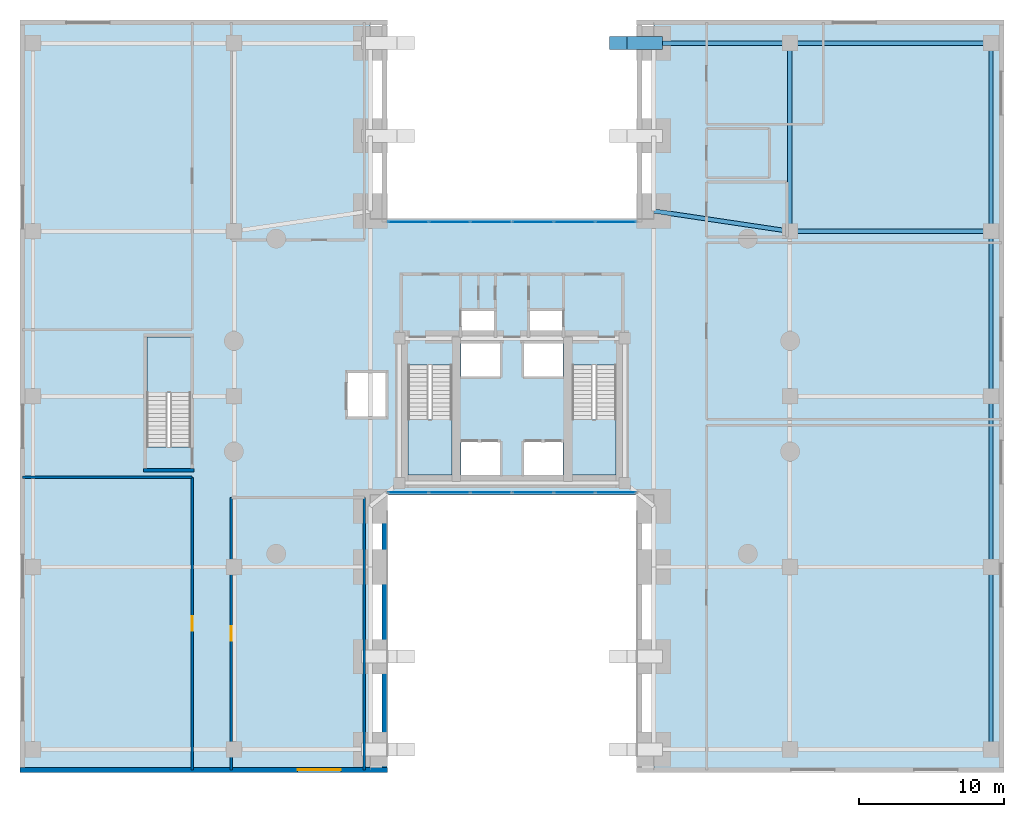
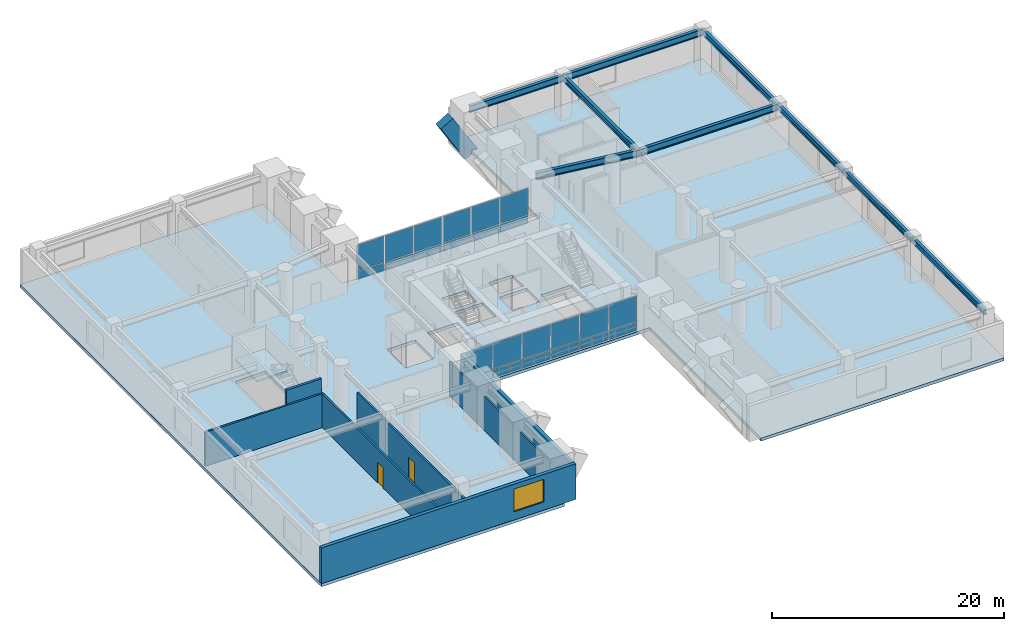
# One storey, part 9 of 14: 24 plates, 10 beams, 7 walls, 4 slabs, 2 doors, 1 window, 3 openings, 7 elements without a shape of their own.
"""IFC4 building model written with IfcOpenShell, lengths in metres."""

import ifcopenshell
import ifcopenshell.guid

model = None  # the IFC model being written
_history = None  # IfcOwnerHistory: only IFC2X3 demands one
_inside = {}  # id of a spatial element -> (the spatial element, [elements in it])
_under = {}  # id of a project, library or spatial element -> (it, [spatial elements below it])
_declared = {}  # id of a project -> (the project, [libraries it declares])
_typed = {}  # id of a type object -> (the type object, [elements of that type])
_made_of = {}  # id of a material, layer set ... -> (it, [elements and type objects made of it])


def new_model(schema):
    """Start an empty IFC model of exactly this schema.

    Asked for "IFC4X3", IfcOpenShell would pick the latest addendum, in which some entities
    have other attributes; the version numbers below select the first issue.
    IFC2X3 requires an IfcOwnerHistory on every rooted entity: one is made here for all.
    """
    global model, _history
    if schema == "IFC4X3":
        model = ifcopenshell.file(schema_version=(4, 3, 0, 0))
    else:
        model = ifcopenshell.file(schema=schema)
    _inside.clear()
    _under.clear()
    _declared.clear()
    _typed.clear()
    _made_of.clear()
    _history = None
    if model.schema == "IFC2X3":
        org = make("IfcOrganization", Name="unknown")
        user = make(
            "IfcPersonAndOrganization",
            ThePerson=make("IfcPerson", FamilyName="unknown"),
            TheOrganization=org,
        )
        app = make(
            "IfcApplication",
            ApplicationDeveloper=org,
            Version="unknown",
            ApplicationFullName="unknown",
            ApplicationIdentifier="unknown",
        )
        _history = make(
            "IfcOwnerHistory",
            OwningUser=user,
            OwningApplication=app,
            ChangeAction="ADDED",
            CreationDate=0,
        )
    return model


def make(cls, **values):
    """One entity of the class cls with the attributes given. An attribute that is None is left unset."""
    return model.create_entity(
        cls, **{name: value for name, value in values.items() if value is not None}
    )


def rooted(cls, **values):
    """An entity with a GlobalId (a new one), such as an element, a storey or a relation."""
    return make(cls, GlobalId=ifcopenshell.guid.new(), OwnerHistory=_history, **values)


def si_unit(unit_type, name, prefix=None):
    """IfcSIUnit, for example si_unit("LENGTHUNIT", "METRE", prefix="MILLI")."""
    return make("IfcSIUnit", UnitType=unit_type, Prefix=prefix, Name=name)


def assignment(units):
    """IfcUnitAssignment: the units of a project."""
    return None if units is None else make("IfcUnitAssignment", Units=units)


def point(xyz):
    """IfcCartesianPoint."""
    return None if xyz is None else make("IfcCartesianPoint", Coordinates=xyz)


def direction(xyz):
    """IfcDirection."""
    return None if xyz is None else make("IfcDirection", DirectionRatios=xyz)


def frame(location, z_axis=None, x_axis=None):
    """IfcAxis2Placement3D, a coordinate frame: its origin and axes. An axis left out is left unset."""
    return make(
        "IfcAxis2Placement3D",
        Location=point(location),
        Axis=direction(z_axis),
        RefDirection=direction(x_axis),
    )


def frame_2d(location, x_axis=None):
    """IfcAxis2Placement2D, a coordinate frame in the plane: its origin and x axis."""
    return make(
        "IfcAxis2Placement2D", Location=point(location), RefDirection=direction(x_axis)
    )


def origin():
    """The frame at (0, 0, 0) with its axes left unset."""
    return frame((0.0, 0.0, 0.0))


def origin_2d():
    """The frame at (0, 0) in the plane with its x axis left unset."""
    return frame_2d((0.0, 0.0))


def place(relative_to, where):
    """IfcLocalPlacement: puts the frame where relative to a parent placement (None: the world)."""
    return make(
        "IfcLocalPlacement", PlacementRelTo=relative_to, RelativePlacement=where
    )


def context(
    kind, dimensions, precision=None, world=None, true_north=None, identifier=None
):
    """IfcGeometricRepresentationContext, for example the 3D "Model" context."""
    return make(
        "IfcGeometricRepresentationContext",
        ContextIdentifier=identifier,
        ContextType=kind,
        CoordinateSpaceDimension=dimensions,
        Precision=precision,
        WorldCoordinateSystem=world,
        TrueNorth=true_north,
    )


def subcontext(parent, identifier, kind, view, scale=None):
    """IfcGeometricRepresentationSubContext, for example "Body" below "Model"."""
    return make(
        "IfcGeometricRepresentationSubContext",
        ContextIdentifier=identifier,
        ContextType=kind,
        ParentContext=parent,
        TargetScale=scale,
        TargetView=view,
    )


def project(units=None, contexts=None):
    """IfcProject with its units and contexts."""
    return rooted(
        "IfcProject",
        Name="project",
        RepresentationContexts=contexts,
        UnitsInContext=assignment(units),
    )


def spatial(cls, under=None, at=None, **own):
    """A site, building, storey or space (cls), placed at a placement, below another one or the project."""
    s = rooted(cls, ObjectPlacement=at, **own)
    if under is not None:
        _under.setdefault(under.id(), (under, []))[1].append(s)
    return s


def polyline(points):
    """IfcPolyline through the points."""
    return make("IfcPolyline", Points=[point(p) for p in points])


def profile(cls, at=None, kind="AREA", **sizes):
    """A parametric profile (cls). Its sizes go by their IFC names, for example OverallWidth=200.0."""
    return make(cls, ProfileType=kind, Position=at, **sizes)


def rectangle(**sizes):
    """IfcRectangleProfileDef."""
    return profile("IfcRectangleProfileDef", **sizes)


def i_section(**sizes):
    """IfcIShapeProfileDef."""
    return profile("IfcIShapeProfileDef", **sizes)


def outline(outer, holes=None, kind="AREA"):
    """IfcArbitraryClosedProfileDef: a profile drawn as a closed curve; with holes, ...WithVoids."""
    if holes is None:
        return make("IfcArbitraryClosedProfileDef", ProfileType=kind, OuterCurve=outer)
    return make(
        "IfcArbitraryProfileDefWithVoids",
        ProfileType=kind,
        OuterCurve=outer,
        InnerCurves=holes,
    )


def extrude(swept, where, along, depth):
    """IfcExtrudedAreaSolid: the profile swept, set in the frame where, extruded along a direction by depth."""
    return make(
        "IfcExtrudedAreaSolid",
        SweptArea=swept,
        Position=where,
        ExtrudedDirection=direction(along),
        Depth=depth,
    )


def shape(context_of_items, identifier, shape_type, items):
    """IfcShapeRepresentation: the items that make up one representation, for example the "Body"."""
    return make(
        "IfcShapeRepresentation",
        ContextOfItems=context_of_items,
        RepresentationIdentifier=identifier,
        RepresentationType=shape_type,
        Items=items,
    )


def material(Name=None, Category=None):
    """IfcMaterial."""
    return make("IfcMaterial", Name=Name, Category=Category)


def layer(
    of_material, thickness, ventilated=None, Name=None, Category=None, Priority=None
):
    """IfcMaterialLayer: one layer of a wall or slab, of a material (None: an air gap)."""
    return make(
        "IfcMaterialLayer",
        Material=of_material,
        LayerThickness=thickness,
        IsVentilated=ventilated,
        Name=Name,
        Category=Category,
        Priority=Priority,
    )


def layer_set(layers, Name=None):
    """IfcMaterialLayerSet."""
    return make("IfcMaterialLayerSet", MaterialLayers=layers, LayerSetName=Name)


def material_profile(
    of_material, cross_section, Name=None, Category=None, Priority=None
):
    """IfcMaterialProfile: a cross section and its material."""
    return make(
        "IfcMaterialProfile",
        Name=Name,
        Material=of_material,
        Profile=cross_section,
        Priority=Priority,
        Category=Category,
    )


def profile_set(profiles, Name=None, composite=None):
    """IfcMaterialProfileSet."""
    return make(
        "IfcMaterialProfileSet",
        Name=Name,
        MaterialProfiles=profiles,
        CompositeProfile=composite,
    )


def made_of(thing, what):
    """Note that an element or type object is made of a material, layer set ...; save() writes the relation."""
    if what is not None:
        _made_of.setdefault(what.id(), (what, []))[1].append(thing)
    return thing


def type_object(cls, material=None, **own):
    """A type object (cls), such as IfcWallType, which elements share."""
    return made_of(rooted(cls, **own), material)


def element(
    cls,
    number,
    at=None,
    inside=None,
    cuts=None,
    type_object=None,
    material=None,
    context=None,
    identifier="Body",
    shape_type=None,
    held_by="IfcProductDefinitionShape",
    body=None,
    shapes=None,
    **own,
):
    """One element of the class cls, such as IfcWall. Its Tag is "e" and its number.

    at: its placement. inside: the storey or other place that contains it. cuts: it is an
    opening in that element (IfcRelVoidsElement). A single representation is given by context,
    identifier, shape_type and body (its items); several are given by shapes. held_by: the class
    of the entity that holds the representations. save() writes the other relations.
    """
    e = rooted(cls, Tag="e%d" % number, ObjectPlacement=at, **own)
    if body is not None:
        shapes = [shape(context, identifier, shape_type, body)]
    if shapes is not None:
        e.Representation = make(held_by, Representations=shapes)
    if inside is not None:
        _inside.setdefault(inside.id(), (inside, []))[1].append(e)
    if cuts is not None:
        rooted(
            "IfcRelVoidsElement", RelatingBuildingElement=cuts, RelatedOpeningElement=e
        )
    if type_object is not None:
        _typed.setdefault(type_object.id(), (type_object, []))[1].append(e)
    return made_of(e, material)


def fill(opening, filler):
    """IfcRelFillsElement: the door or window that sits in an opening."""
    return rooted(
        "IfcRelFillsElement",
        RelatingOpeningElement=opening,
        RelatedBuildingElement=filler,
    )


def aggregate(whole, parts):
    """IfcRelAggregates: a whole, such as a stair, and the parts it consists of."""
    return rooted("IfcRelAggregates", RelatingObject=whole, RelatedObjects=parts)


def save(model, path):
    """Write the relations noted so far, then the file.

    IfcRelAggregates (storeys below a building ...), IfcRelContainedInSpatialStructure (elements
    in a storey), IfcRelDefinesByType, IfcRelAssociatesMaterial and IfcRelDeclares: one each for
    every whole, place, type object, material and project.
    """
    for whole, parts in _under.values():
        aggregate(whole, parts)
    for where, things in _inside.values():
        rooted(
            "IfcRelContainedInSpatialStructure",
            RelatedElements=things,
            RelatingStructure=where,
        )
    for kind, things in _typed.values():
        rooted("IfcRelDefinesByType", RelatedObjects=things, RelatingType=kind)
    for what, things in _made_of.values():
        rooted("IfcRelAssociatesMaterial", RelatedObjects=things, RelatingMaterial=what)
    for by, libraries in _declared.values():
        rooted("IfcRelDeclares", RelatingContext=by, RelatedDefinitions=libraries)
    model.write(path)


model = new_model("IFC4")

# Units and contexts
model_context = context("Model", 3, precision=1e-05, world=origin(), true_north=direction((0.0, 1.0)))
body_context = subcontext(model_context, "Body", "Model", "MODEL_VIEW")
ifc_project = project(units=[si_unit("LENGTHUNIT", "METRE"), si_unit("AREAUNIT", "SQUARE_METRE"), si_unit("VOLUMEUNIT", "CUBIC_METRE"), si_unit("PLANEANGLEUNIT", "RADIAN"), si_unit("MASSUNIT", "GRAM", prefix="KILO"), si_unit("THERMODYNAMICTEMPERATUREUNIT", "KELVIN"), si_unit("POWERUNIT", "WATT")], contexts=[model_context])

# Site, building, storey
site_placement = place(None, origin())
site = spatial("IfcSite", under=ifc_project, at=site_placement, CompositionType="ELEMENT")
building_placement = place(site_placement, origin())
building = spatial("IfcBuilding", under=site, at=building_placement, Name="Ocrelia Relay Tower", CompositionType="ELEMENT")
storey_placement = place(building_placement, frame((0.0, 0.0, 5.39990234375)))
storey = spatial("IfcBuildingStorey", under=building, at=storey_placement, Name="L01", CompositionType="ELEMENT", Elevation=5.39990234375)

# Beams
ifc_material_1 = material(Name="Concrete C70/85", Category="concrete")
ifc_material_profile_1 = material_profile(ifc_material_1, rectangle(XDim=0.89990234375, YDim=1.39990234375, at=origin_2d()), Name="RC-BM-900x1400")
ifc_profile_set_1 = profile_set([ifc_material_profile_1], Name="Concrete C70/85")
beam_type_1 = type_object("IfcBeamType", Name="BM-ARCH-RIB", PredefinedType="USERDEFINED", material=ifc_profile_set_1)
beam_1_placement = place(storey_placement, frame((41.35009765625, 50.39990234375, 3.69287109375), z_axis=(0.513614846674, 0.0, -0.858020855968), x_axis=(0.0, 1.0, 0.0)))
element("IfcBeam", 1, at=beam_1_placement, inside=storey, type_object=beam_type_1, Name="Monumental Portal Arch Rib N1 Seg 8", ObjectType="PORTAL ARCH", PredefinedType="USERDEFINED", context=body_context, shape_type="SweptSolid", body=[
    extrude(rectangle(XDim=0.89990234375, YDim=1.39990234375, at=origin_2d()), origin(), (0.0, 0.0, 1.0), 4.77001953125),
])
ifc_material_2 = material(Name="Steel S355", Category="steel")
ifc_material_profile_2 = material_profile(ifc_material_2, i_section(OverallWidth=0.300048828125, OverallDepth=0.60009765625, WebThickness=0.015380859375, FlangeThickness=0.030029296875, FilletRadius=0.027099609375, at=origin_2d()), Name="HEB 600")
ifc_profile_set_2 = profile_set([ifc_material_profile_2], Name="Steel S355")
beam_type_2 = type_object("IfcBeamType", Name="BM-HEB600", PredefinedType="BEAM", material=ifc_profile_set_2)
beam_2_placement = place(storey_placement, frame((53.199951171875, 37.39990234375, 4.18017578125), z_axis=(0.0, 1.0, 0.0), x_axis=(-1.0, 0.0, 0.0)))
element("IfcBeam", 2, at=beam_2_placement, inside=storey, type_object=beam_type_2, Name="L01 Podium Span Girder IE-4", PredefinedType="BEAM", context=body_context, shape_type="SweptSolid", body=[
    extrude(i_section(OverallWidth=0.300048828125, OverallDepth=0.60009765625, WebThickness=0.015380859375, FlangeThickness=0.030029296875, FilletRadius=0.027099609375, at=origin_2d()), origin(), (0.0, 0.0, 1.0), 13.0),
])
beam_3_placement = place(storey_placement, frame((67.10009765625, 1.60009765625, 4.18017578125), z_axis=(0.0, 1.0, 0.0), x_axis=(-1.0, 0.0, 0.0)))
element("IfcBeam", 3, at=beam_3_placement, inside=storey, type_object=beam_type_2, Name="L01 Podium Span Girder E-1", PredefinedType="BEAM", context=body_context, shape_type="SweptSolid", body=[
    extrude(i_section(OverallWidth=0.300048828125, OverallDepth=0.60009765625, WebThickness=0.015380859375, FlangeThickness=0.030029296875, FilletRadius=0.027099609375, at=origin_2d()), origin(), (0.0, 0.0, 1.0), 12.599853515625),
])
beam_4_placement = place(storey_placement, frame((67.10009765625, 14.199951171875, 4.18017578125), z_axis=(0.0, 1.0, 0.0), x_axis=(-1.0, 0.0, 0.0)))
element("IfcBeam", 4, at=beam_4_placement, inside=storey, type_object=beam_type_2, Name="L01 Podium Span Girder E-2", PredefinedType="BEAM", context=body_context, shape_type="SweptSolid", body=[
    extrude(i_section(OverallWidth=0.300048828125, OverallDepth=0.60009765625, WebThickness=0.015380859375, FlangeThickness=0.030029296875, FilletRadius=0.027099609375, at=origin_2d()), origin(), (0.0, 0.0, 1.0), 11.800048828125),
])
beam_5_placement = place(storey_placement, frame((67.10009765625, 26.0, 4.18017578125), z_axis=(0.0, 1.0, 0.0), x_axis=(-1.0, 0.0, 0.0)))
element("IfcBeam", 5, at=beam_5_placement, inside=storey, type_object=beam_type_2, Name="L01 Podium Span Girder E-3", PredefinedType="BEAM", context=body_context, shape_type="SweptSolid", body=[
    extrude(i_section(OverallWidth=0.300048828125, OverallDepth=0.60009765625, WebThickness=0.015380859375, FlangeThickness=0.030029296875, FilletRadius=0.027099609375, at=origin_2d()), origin(), (0.0, 0.0, 1.0), 11.39990234375),
])
beam_6_placement = place(storey_placement, frame((67.10009765625, 37.39990234375, 4.18017578125), z_axis=(0.0, 1.0, 0.0), x_axis=(-1.0, 0.0, 0.0)))
element("IfcBeam", 6, at=beam_6_placement, inside=storey, type_object=beam_type_2, Name="L01 Podium Span Girder E-4", PredefinedType="BEAM", context=body_context, shape_type="SweptSolid", body=[
    extrude(i_section(OverallWidth=0.300048828125, OverallDepth=0.60009765625, WebThickness=0.015380859375, FlangeThickness=0.030029296875, FilletRadius=0.027099609375, at=origin_2d()), origin(), (0.0, 0.0, 1.0), 13.0),
])
ifc_material_profile_3 = material_profile(ifc_material_2, i_section(OverallWidth=0.300048828125, OverallDepth=0.699951171875, WebThickness=0.01708984375, FlangeThickness=0.031982421875, FilletRadius=0.027099609375, at=origin_2d()), Name="HEB 700")
ifc_profile_set_3 = profile_set([ifc_material_profile_3], Name="Steel S355")
beam_type_3 = type_object("IfcBeamType", Name="BM-HEB700", PredefinedType="BEAM", material=ifc_profile_set_3)
beam_7_placement = place(storey_placement, frame((43.800048828125, 38.800048828125, 4.130126953125), z_axis=(0.989087708935, -0.14732787935, 0.0), x_axis=(0.14732787935, 0.989087708935, 0.0)))
element("IfcBeam", 7, at=beam_7_placement, inside=storey, type_object=beam_type_3, Name="L01 East Inner Podium Girder M2", PredefinedType="BEAM", context=body_context, shape_type="SweptSolid", body=[
    extrude(i_section(OverallWidth=0.300048828125, OverallDepth=0.699951171875, WebThickness=0.01708984375, FlangeThickness=0.031982421875, FilletRadius=0.027099609375, at=origin_2d()), origin(), (0.0, 0.0, 1.0), 9.503662109375),
])
beam_8_placement = place(storey_placement, frame((53.199951171875, 37.39990234375, 4.130126953125), z_axis=(1.0, 0.0, 0.0), x_axis=(0.0, 1.0, 0.0)))
element("IfcBeam", 8, at=beam_8_placement, inside=storey, type_object=beam_type_3, Name="L01 East Outer Podium Girder M2", PredefinedType="BEAM", context=body_context, shape_type="SweptSolid", body=[
    extrude(i_section(OverallWidth=0.300048828125, OverallDepth=0.699951171875, WebThickness=0.01708984375, FlangeThickness=0.031982421875, FilletRadius=0.027099609375, at=origin_2d()), origin(), (0.0, 0.0, 1.0), 13.900146484375),
])
beam_9_placement = place(storey_placement, frame((43.800048828125, 50.39990234375, 4.130126953125), z_axis=(1.0, 0.0, 0.0), x_axis=(0.0, 1.0, 0.0)))
element("IfcBeam", 9, at=beam_9_placement, inside=storey, type_object=beam_type_3, Name="L01 East Inner Podium Girder N", PredefinedType="BEAM", context=body_context, shape_type="SweptSolid", body=[
    extrude(i_section(OverallWidth=0.300048828125, OverallDepth=0.699951171875, WebThickness=0.01708984375, FlangeThickness=0.031982421875, FilletRadius=0.027099609375, at=origin_2d()), origin(), (0.0, 0.0, 1.0), 9.39990234375),
])
beam_10_placement = place(storey_placement, frame((53.199951171875, 50.39990234375, 4.130126953125), z_axis=(1.0, 0.0, 0.0), x_axis=(0.0, 1.0, 0.0)))
element("IfcBeam", 10, at=beam_10_placement, inside=storey, type_object=beam_type_3, Name="L01 East Outer Podium Girder N", PredefinedType="BEAM", context=body_context, shape_type="SweptSolid", body=[
    extrude(i_section(OverallWidth=0.300048828125, OverallDepth=0.699951171875, WebThickness=0.01708984375, FlangeThickness=0.031982421875, FilletRadius=0.027099609375, at=origin_2d()), origin(), (0.0, 0.0, 1.0), 13.900146484375),
])

# Curtain wall, plates
ifc_material_3 = material(Name="Aluminium and solar-control low-E glass", Category="aluminium")
ifc_layer_1 = layer(ifc_material_3, 0.179931640625, Name="Aluminium and solar-control low-E glass")
ifc_layer_set_1 = layer_set([ifc_layer_1], Name="Aluminium and solar-control low-E glass")
curtain_wall_type = type_object("IfcCurtainWallType", Name="CW-SYS-POD-ARCH", PredefinedType="NOTDEFINED", material=ifc_layer_set_1)
curtain_wall_1_placement = place(storey_placement, origin())
curtain_wall_1 = element("IfcCurtainWall", 11, at=curtain_wall_1_placement, inside=storey, type_object=curtain_wall_type, Name="L01 South Portal Atrium Glazed Screen West", PredefinedType="NOTDEFINED")
ifc_material_4 = material(Name="Clear double-glazed low-E glass", Category="glass")
ifc_layer_2 = layer(ifc_material_4, 0.031982421875, Name="Clear double-glazed low-E glass")
ifc_layer_set_2 = layer_set([ifc_layer_2], Name="Clear double-glazed low-E glass")
plate_type = type_object("IfcPlateType", Name="CW-SYS-POD-ARCH-PNL", PredefinedType="CURTAIN_PANEL", material=ifc_layer_set_2)
plate_1_placement = place(storey_placement, frame((26.83544921875, 19.35009765625, 0.06494140625), z_axis=(0.0, 0.0, 1.0), x_axis=(1.0, 0.0, 0.0)))
plate_1 = element("IfcPlate", 12, at=plate_1_placement, type_object=plate_type, Name="CW-PA panel 1.1", PredefinedType="CURTAIN_PANEL", context=body_context, shape_type="SweptSolid", body=[
    extrude(rectangle(XDim=2.7607421875, YDim=0.031982421875, at=origin_2d()), origin(), (0.0, 0.0, 1.0), 0.802490234375),
])
plate_2_placement = place(storey_placement, frame((26.83544921875, 19.35009765625, 0.9326171875), z_axis=(0.0, 0.0, 1.0), x_axis=(1.0, 0.0, 0.0)))
plate_2 = element("IfcPlate", 13, at=plate_2_placement, type_object=plate_type, Name="CW-PA panel 1.2", PredefinedType="CURTAIN_PANEL", context=body_context, shape_type="SweptSolid", body=[
    extrude(rectangle(XDim=2.7607421875, YDim=0.031982421875, at=origin_2d()), origin(), (0.0, 0.0, 1.0), 2.762451171875),
])
plate_3_placement = place(storey_placement, frame((29.68994140625, 19.35009765625, 0.06494140625), z_axis=(0.0, 0.0, 1.0), x_axis=(1.0, 0.0, 0.0)))
plate_3 = element("IfcPlate", 14, at=plate_3_placement, type_object=plate_type, Name="CW-PA panel 2.1", PredefinedType="CURTAIN_PANEL", context=body_context, shape_type="SweptSolid", body=[
    extrude(rectangle(XDim=2.79833984375, YDim=0.031982421875, at=origin_2d()), origin(), (0.0, 0.0, 1.0), 0.802490234375),
])
plate_4_placement = place(storey_placement, frame((29.68994140625, 19.35009765625, 0.9326171875), z_axis=(0.0, 0.0, 1.0), x_axis=(1.0, 0.0, 0.0)))
plate_4 = element("IfcPlate", 15, at=plate_4_placement, type_object=plate_type, Name="CW-PA panel 2.2", PredefinedType="CURTAIN_PANEL", context=body_context, shape_type="SweptSolid", body=[
    extrude(rectangle(XDim=2.79833984375, YDim=0.031982421875, at=origin_2d()), origin(), (0.0, 0.0, 1.0), 2.762451171875),
])
plate_5_placement = place(storey_placement, frame((32.544677734375, 19.35009765625, 0.06494140625), z_axis=(0.0, 0.0, 1.0), x_axis=(1.0, 0.0, 0.0)))
plate_5 = element("IfcPlate", 16, at=plate_5_placement, type_object=plate_type, Name="CW-PA panel 3.1", PredefinedType="CURTAIN_PANEL", context=body_context, shape_type="SweptSolid", body=[
    extrude(rectangle(XDim=2.7607421875, YDim=0.031982421875, at=origin_2d()), origin(), (0.0, 0.0, 1.0), 0.802490234375),
])
plate_6_placement = place(storey_placement, frame((32.544677734375, 19.35009765625, 0.9326171875), z_axis=(0.0, 0.0, 1.0), x_axis=(1.0, 0.0, 0.0)))
plate_6 = element("IfcPlate", 17, at=plate_6_placement, type_object=plate_type, Name="CW-PA panel 3.2", PredefinedType="CURTAIN_PANEL", context=body_context, shape_type="SweptSolid", body=[
    extrude(rectangle(XDim=2.7607421875, YDim=0.031982421875, at=origin_2d()), origin(), (0.0, 0.0, 1.0), 2.762451171875),
])
aggregate(curtain_wall_1, [plate_1, plate_2, plate_3, plate_4, plate_5, plate_6])

curtain_wall_2_placement = place(storey_placement, origin())
curtain_wall_2 = element("IfcCurtainWall", 18, at=curtain_wall_2_placement, inside=storey, type_object=curtain_wall_type, Name="L01 South Portal Atrium Glazed Screen East", PredefinedType="NOTDEFINED")
plate_7_placement = place(storey_placement, frame((35.455322265625, 19.35009765625, 0.06494140625), z_axis=(0.0, 0.0, 1.0), x_axis=(1.0, 0.0, 0.0)))
plate_7 = element("IfcPlate", 19, at=plate_7_placement, type_object=plate_type, Name="CW-PA panel 1.1", PredefinedType="CURTAIN_PANEL", context=body_context, shape_type="SweptSolid", body=[
    extrude(rectangle(XDim=2.7607421875, YDim=0.031982421875, at=origin_2d()), origin(), (0.0, 0.0, 1.0), 0.802490234375),
])
plate_8_placement = place(storey_placement, frame((35.455322265625, 19.35009765625, 0.9326171875), z_axis=(0.0, 0.0, 1.0), x_axis=(1.0, 0.0, 0.0)))
plate_8 = element("IfcPlate", 20, at=plate_8_placement, type_object=plate_type, Name="CW-PA panel 1.2", PredefinedType="CURTAIN_PANEL", context=body_context, shape_type="SweptSolid", body=[
    extrude(rectangle(XDim=2.7607421875, YDim=0.031982421875, at=origin_2d()), origin(), (0.0, 0.0, 1.0), 2.762451171875),
])
plate_9_placement = place(storey_placement, frame((38.31005859375, 19.35009765625, 0.06494140625), z_axis=(0.0, 0.0, 1.0), x_axis=(1.0, 0.0, 0.0)))
plate_9 = element("IfcPlate", 21, at=plate_9_placement, type_object=plate_type, Name="CW-PA panel 2.1", PredefinedType="CURTAIN_PANEL", context=body_context, shape_type="SweptSolid", body=[
    extrude(rectangle(XDim=2.79833984375, YDim=0.031982421875, at=origin_2d()), origin(), (0.0, 0.0, 1.0), 0.802490234375),
])
plate_10_placement = place(storey_placement, frame((38.31005859375, 19.35009765625, 0.9326171875), z_axis=(0.0, 0.0, 1.0), x_axis=(1.0, 0.0, 0.0)))
plate_10 = element("IfcPlate", 22, at=plate_10_placement, type_object=plate_type, Name="CW-PA panel 2.2", PredefinedType="CURTAIN_PANEL", context=body_context, shape_type="SweptSolid", body=[
    extrude(rectangle(XDim=2.79833984375, YDim=0.031982421875, at=origin_2d()), origin(), (0.0, 0.0, 1.0), 2.762451171875),
])
plate_11_placement = place(storey_placement, frame((41.16455078125, 19.35009765625, 0.06494140625), z_axis=(0.0, 0.0, 1.0), x_axis=(1.0, 0.0, 0.0)))
plate_11 = element("IfcPlate", 23, at=plate_11_placement, type_object=plate_type, Name="CW-PA panel 3.1", PredefinedType="CURTAIN_PANEL", context=body_context, shape_type="SweptSolid", body=[
    extrude(rectangle(XDim=2.7607421875, YDim=0.031982421875, at=origin_2d()), origin(), (0.0, 0.0, 1.0), 0.802490234375),
])
plate_12_placement = place(storey_placement, frame((41.16455078125, 19.35009765625, 0.9326171875), z_axis=(0.0, 0.0, 1.0), x_axis=(1.0, 0.0, 0.0)))
plate_12 = element("IfcPlate", 24, at=plate_12_placement, type_object=plate_type, Name="CW-PA panel 3.2", PredefinedType="CURTAIN_PANEL", context=body_context, shape_type="SweptSolid", body=[
    extrude(rectangle(XDim=2.7607421875, YDim=0.031982421875, at=origin_2d()), origin(), (0.0, 0.0, 1.0), 2.762451171875),
])
aggregate(curtain_wall_2, [plate_7, plate_8, plate_9, plate_10, plate_11, plate_12])

curtain_wall_3_placement = place(storey_placement, origin())
curtain_wall_3 = element("IfcCurtainWall", 25, at=curtain_wall_3_placement, inside=storey, type_object=curtain_wall_type, Name="L01 North Portal Concourse Glazed Screen West", PredefinedType="NOTDEFINED")
plate_13_placement = place(storey_placement, frame((26.83544921875, 38.050048828125, 0.06494140625), z_axis=(0.0, 0.0, 1.0), x_axis=(1.0, 0.0, 0.0)))
plate_13 = element("IfcPlate", 26, at=plate_13_placement, type_object=plate_type, Name="CW-PA panel 1.1", PredefinedType="CURTAIN_PANEL", context=body_context, shape_type="SweptSolid", body=[
    extrude(rectangle(XDim=2.7607421875, YDim=0.031982421875, at=origin_2d()), origin(), (0.0, 0.0, 1.0), 0.802490234375),
])
plate_14_placement = place(storey_placement, frame((26.83544921875, 38.050048828125, 0.9326171875), z_axis=(0.0, 0.0, 1.0), x_axis=(1.0, 0.0, 0.0)))
plate_14 = element("IfcPlate", 27, at=plate_14_placement, type_object=plate_type, Name="CW-PA panel 1.2", PredefinedType="CURTAIN_PANEL", context=body_context, shape_type="SweptSolid", body=[
    extrude(rectangle(XDim=2.7607421875, YDim=0.031982421875, at=origin_2d()), origin(), (0.0, 0.0, 1.0), 2.762451171875),
])
plate_15_placement = place(storey_placement, frame((29.68994140625, 38.050048828125, 0.06494140625), z_axis=(0.0, 0.0, 1.0), x_axis=(1.0, 0.0, 0.0)))
plate_15 = element("IfcPlate", 28, at=plate_15_placement, type_object=plate_type, Name="CW-PA panel 2.1", PredefinedType="CURTAIN_PANEL", context=body_context, shape_type="SweptSolid", body=[
    extrude(rectangle(XDim=2.79833984375, YDim=0.031982421875, at=origin_2d()), origin(), (0.0, 0.0, 1.0), 0.802490234375),
])
plate_16_placement = place(storey_placement, frame((29.68994140625, 38.050048828125, 0.9326171875), z_axis=(0.0, 0.0, 1.0), x_axis=(1.0, 0.0, 0.0)))
plate_16 = element("IfcPlate", 29, at=plate_16_placement, type_object=plate_type, Name="CW-PA panel 2.2", PredefinedType="CURTAIN_PANEL", context=body_context, shape_type="SweptSolid", body=[
    extrude(rectangle(XDim=2.79833984375, YDim=0.031982421875, at=origin_2d()), origin(), (0.0, 0.0, 1.0), 2.762451171875),
])
plate_17_placement = place(storey_placement, frame((32.544677734375, 38.050048828125, 0.06494140625), z_axis=(0.0, 0.0, 1.0), x_axis=(1.0, 0.0, 0.0)))
plate_17 = element("IfcPlate", 30, at=plate_17_placement, type_object=plate_type, Name="CW-PA panel 3.1", PredefinedType="CURTAIN_PANEL", context=body_context, shape_type="SweptSolid", body=[
    extrude(rectangle(XDim=2.7607421875, YDim=0.031982421875, at=origin_2d()), origin(), (0.0, 0.0, 1.0), 0.802490234375),
])
plate_18_placement = place(storey_placement, frame((32.544677734375, 38.050048828125, 0.9326171875), z_axis=(0.0, 0.0, 1.0), x_axis=(1.0, 0.0, 0.0)))
plate_18 = element("IfcPlate", 31, at=plate_18_placement, type_object=plate_type, Name="CW-PA panel 3.2", PredefinedType="CURTAIN_PANEL", context=body_context, shape_type="SweptSolid", body=[
    extrude(rectangle(XDim=2.7607421875, YDim=0.031982421875, at=origin_2d()), origin(), (0.0, 0.0, 1.0), 2.762451171875),
])
aggregate(curtain_wall_3, [plate_13, plate_14, plate_15, plate_16, plate_17, plate_18])

curtain_wall_4_placement = place(storey_placement, origin())
curtain_wall_4 = element("IfcCurtainWall", 32, at=curtain_wall_4_placement, inside=storey, type_object=curtain_wall_type, Name="L01 North Portal Concourse Glazed Screen East", PredefinedType="NOTDEFINED")
plate_19_placement = place(storey_placement, frame((35.455322265625, 38.050048828125, 0.06494140625), z_axis=(0.0, 0.0, 1.0), x_axis=(1.0, 0.0, 0.0)))
plate_19 = element("IfcPlate", 33, at=plate_19_placement, type_object=plate_type, Name="CW-PA panel 1.1", PredefinedType="CURTAIN_PANEL", context=body_context, shape_type="SweptSolid", body=[
    extrude(rectangle(XDim=2.7607421875, YDim=0.031982421875, at=origin_2d()), origin(), (0.0, 0.0, 1.0), 0.802490234375),
])
plate_20_placement = place(storey_placement, frame((35.455322265625, 38.050048828125, 0.9326171875), z_axis=(0.0, 0.0, 1.0), x_axis=(1.0, 0.0, 0.0)))
plate_20 = element("IfcPlate", 34, at=plate_20_placement, type_object=plate_type, Name="CW-PA panel 1.2", PredefinedType="CURTAIN_PANEL", context=body_context, shape_type="SweptSolid", body=[
    extrude(rectangle(XDim=2.7607421875, YDim=0.031982421875, at=origin_2d()), origin(), (0.0, 0.0, 1.0), 2.762451171875),
])
plate_21_placement = place(storey_placement, frame((38.31005859375, 38.050048828125, 0.06494140625), z_axis=(0.0, 0.0, 1.0), x_axis=(1.0, 0.0, 0.0)))
plate_21 = element("IfcPlate", 35, at=plate_21_placement, type_object=plate_type, Name="CW-PA panel 2.1", PredefinedType="CURTAIN_PANEL", context=body_context, shape_type="SweptSolid", body=[
    extrude(rectangle(XDim=2.79833984375, YDim=0.031982421875, at=origin_2d()), origin(), (0.0, 0.0, 1.0), 0.802490234375),
])
plate_22_placement = place(storey_placement, frame((38.31005859375, 38.050048828125, 0.9326171875), z_axis=(0.0, 0.0, 1.0), x_axis=(1.0, 0.0, 0.0)))
plate_22 = element("IfcPlate", 36, at=plate_22_placement, type_object=plate_type, Name="CW-PA panel 2.2", PredefinedType="CURTAIN_PANEL", context=body_context, shape_type="SweptSolid", body=[
    extrude(rectangle(XDim=2.79833984375, YDim=0.031982421875, at=origin_2d()), origin(), (0.0, 0.0, 1.0), 2.762451171875),
])
plate_23_placement = place(storey_placement, frame((41.16455078125, 38.050048828125, 0.06494140625), z_axis=(0.0, 0.0, 1.0), x_axis=(1.0, 0.0, 0.0)))
plate_23 = element("IfcPlate", 37, at=plate_23_placement, type_object=plate_type, Name="CW-PA panel 3.1", PredefinedType="CURTAIN_PANEL", context=body_context, shape_type="SweptSolid", body=[
    extrude(rectangle(XDim=2.7607421875, YDim=0.031982421875, at=origin_2d()), origin(), (0.0, 0.0, 1.0), 0.802490234375),
])
plate_24_placement = place(storey_placement, frame((41.16455078125, 38.050048828125, 0.9326171875), z_axis=(0.0, 0.0, 1.0), x_axis=(1.0, 0.0, 0.0)))
plate_24 = element("IfcPlate", 38, at=plate_24_placement, type_object=plate_type, Name="CW-PA panel 3.2", PredefinedType="CURTAIN_PANEL", context=body_context, shape_type="SweptSolid", body=[
    extrude(rectangle(XDim=2.7607421875, YDim=0.031982421875, at=origin_2d()), origin(), (0.0, 0.0, 1.0), 2.762451171875),
])
aggregate(curtain_wall_4, [plate_19, plate_20, plate_21, plate_22, plate_23, plate_24])

# Slab
ifc_material_5 = material(Name="Concrete C50/60", Category="concrete")
ifc_layer_3 = layer(ifc_material_5, 0.320068359375, Name="Concrete C50/60")
ifc_layer_set_3 = layer_set([ifc_layer_3], Name="Concrete C50/60")
slab_type_1 = type_object("IfcSlabType", Name="SL-FLR-320", PredefinedType="FLOOR", material=ifc_layer_set_3)
slab_1_placement = place(storey_placement, frame((0.0, 0.0, -0.31982421875)))
element("IfcSlab", 39, at=slab_1_placement, inside=storey, type_object=slab_type_1, Name="L01 Arched Podium Floor Slab", PredefinedType="FLOOR", context=body_context, shape_type="SweptSolid", body=[
    extrude(outline(polyline([(0.0, 0.0), (24.199951171875, 0.0), (24.199951171875, 19.199951171875), (43.800048828125, 19.199951171875), (43.800048828125, 0.0), (68.0, 0.0), (68.0, 52.0), (43.800048828125, 52.0), (43.800048828125, 38.25), (24.199951171875, 38.25), (24.199951171875, 52.0), (0.0, 52.0), (0.0, 0.0)]), holes=[polyline([(26.81005859375, 28.14990234375), (26.81005859375, 20.550048828125), (29.85009765625, 20.550048828125), (29.85009765625, 28.14990234375), (26.81005859375, 28.14990234375)]), polyline([(38.159912109375, 28.14990234375), (38.159912109375, 20.550048828125), (41.199951171875, 20.550048828125), (41.199951171875, 28.14990234375), (38.159912109375, 28.14990234375)]), polyline([(11.800048828125, 22.5), (11.800048828125, 30.10009765625), (8.760009765625, 30.10009765625), (8.760009765625, 22.5), (11.800048828125, 22.5)]), polyline([(30.4599609375, 20.550048828125), (33.159912109375, 20.550048828125), (33.159912109375, 22.85009765625), (30.4599609375, 22.85009765625), (30.4599609375, 20.550048828125)]), polyline([(34.840087890625, 20.550048828125), (37.5400390625, 20.550048828125), (37.5400390625, 22.85009765625), (34.840087890625, 22.85009765625), (34.840087890625, 20.550048828125)]), polyline([(30.4599609375, 27.35009765625), (33.159912109375, 27.35009765625), (33.159912109375, 29.64990234375), (30.4599609375, 29.64990234375), (30.4599609375, 27.35009765625)]), polyline([(34.840087890625, 27.35009765625), (37.5400390625, 27.35009765625), (37.5400390625, 29.64990234375), (34.840087890625, 29.64990234375), (34.840087890625, 27.35009765625)]), polyline([(30.5, 30.10009765625), (32.85009765625, 30.10009765625), (32.85009765625, 32.0), (30.5, 32.0), (30.5, 30.10009765625)]), polyline([(35.14990234375, 30.10009765625), (37.5, 30.10009765625), (37.5, 32.0), (35.14990234375, 32.0), (35.14990234375, 30.10009765625)]), polyline([(22.550048828125, 24.5), (25.35009765625, 24.5), (25.35009765625, 27.699951171875), (22.550048828125, 27.699951171875), (22.550048828125, 24.5)])]), origin(), (0.0, 0.0, 1.0), 0.31982421875),
])

# Stair, slab
stair_type = type_object("IfcStairType", Name="ST-DL-1420-R171", PredefinedType="HALF_TURN_STAIR", material=ifc_material_5)
stair_1_placement = place(storey_placement, origin())
stair_1 = element("IfcStair", 40, at=stair_1_placement, inside=storey, type_object=stair_type, Name="L01 West Core Exit Stair ST1", PredefinedType="HALF_TURN_STAIR")
ifc_layer_4 = layer(ifc_material_5, 0.199951171875, Name="Concrete C50/60")
ifc_layer_set_4 = layer_set([ifc_layer_4], Name="Concrete C50/60")
slab_type_2 = type_object("IfcSlabType", Name="SL-LANDING-200", PredefinedType="LANDING", material=ifc_layer_set_4)
slab_2_placement = place(storey_placement, frame((0.0, 0.0, 2.2001953125)))
slab_2 = element("IfcSlab", 41, at=slab_2_placement, type_object=slab_type_2, Name="ST1 landing 1", PredefinedType="LANDING", context=body_context, shape_type="SweptSolid", body=[
    extrude(outline(polyline([(26.81005859375, 24.3798828125), (26.81005859375, 20.550048828125), (29.85009765625, 20.550048828125), (29.85009765625, 24.3798828125), (26.81005859375, 24.3798828125)])), origin(), (0.0, 0.0, 1.0), 0.199951171875),
])
aggregate(stair_1, [slab_2])

stair_2_placement = place(storey_placement, origin())
stair_2 = element("IfcStair", 42, at=stair_2_placement, inside=storey, type_object=stair_type, Name="L01 East Core Exit Stair ST2", PredefinedType="HALF_TURN_STAIR")
slab_3_placement = place(storey_placement, frame((0.0, 0.0, 2.2001953125)))
slab_3 = element("IfcSlab", 43, at=slab_3_placement, type_object=slab_type_2, Name="ST2 landing 1", PredefinedType="LANDING", context=body_context, shape_type="SweptSolid", body=[
    extrude(outline(polyline([(38.159912109375, 24.3798828125), (38.159912109375, 20.550048828125), (41.199951171875, 20.550048828125), (41.199951171875, 24.3798828125), (38.159912109375, 24.3798828125)])), origin(), (0.0, 0.0, 1.0), 0.199951171875),
])
aggregate(stair_2, [slab_3])

stair_3_placement = place(storey_placement, origin())
stair_3 = element("IfcStair", 44, at=stair_3_placement, inside=storey, type_object=stair_type, Name="L01 Podium West Exit Stair ST3", PredefinedType="HALF_TURN_STAIR")
slab_4_placement = place(storey_placement, frame((0.0, 0.0, 2.2001953125)))
slab_4 = element("IfcSlab", 45, at=slab_4_placement, type_object=slab_type_2, Name="ST3 landing 1", PredefinedType="LANDING", context=body_context, shape_type="SweptSolid", body=[
    extrude(outline(polyline([(11.800048828125, 26.27001953125), (11.800048828125, 30.10009765625), (8.760009765625, 30.10009765625), (8.760009765625, 26.27001953125), (11.800048828125, 26.27001953125)])), origin(), (0.0, 0.0, 1.0), 0.199951171875),
])
aggregate(stair_3, [slab_4])

# Wall
ifc_layer_5 = layer(ifc_material_5, 0.239990234375, Name="Concrete C50/60")
ifc_layer_set_5 = layer_set([ifc_layer_5], Name="Concrete C50/60")
wall_type_1 = type_object("IfcWallType", Name="CW-STAIR-240", PredefinedType="SHEAR", material=ifc_layer_set_5)
wall_1_placement = place(storey_placement, frame((8.531982421875, 20.89208984375, 0.0), z_axis=(0.0, 0.0, 1.0), x_axis=(1.0, 0.0, 0.0)))
element("IfcWall", 46, at=wall_1_placement, inside=storey, type_object=wall_type_1, Name="L01 Stair ST3 Structural Shaft S Wall", PredefinedType="SHEAR", context=body_context, shape_type="SweptSolid", body=[
    extrude(rectangle(XDim=3.49609375, YDim=0.239990234375, at=frame_2d((1.748046875, 0.0))), origin(), (0.0, 0.0, 1.0), 4.800048828125),
])

# Wall, opening, door
ifc_material_6 = material(Name="Gypsum Fireboard Partition EI60", Category="gypsum")
ifc_layer_6 = layer(ifc_material_6, 0.179931640625, Name="Gypsum Fireboard Partition EI60")
ifc_layer_set_6 = layer_set([ifc_layer_6], Name="Gypsum Fireboard Partition EI60")
wall_type_2 = type_object("IfcWallType", Name="W-CORR-EI60-180", PredefinedType="PARTITIONING", material=ifc_layer_set_6)
wall_2_placement = place(storey_placement, frame((11.89990234375, 0.179931640625, 0.0), z_axis=(0.0, 0.0, 1.0), x_axis=(0.0, 1.0, 0.0)))
wall_2 = element("IfcWall", 47, at=wall_2_placement, inside=storey, type_object=wall_type_2, Name="L01 Visitor Briefing Auditorium E Partition", PredefinedType="PARTITIONING", context=body_context, shape_type="SweptSolid", body=[
    extrude(rectangle(XDim=20.219970703125, YDim=0.179931640625, at=frame_2d((10.10986328125, 0.0))), origin(), (0.0, 0.0, 1.0), 3.56005859375),
])
opening_1_placement = place(wall_2_placement, frame((9.610107421875, 0.0, 0.0)))
opening_1 = element("IfcOpeningElement", 48, at=opening_1_placement, cuts=wall_2, Name="Opening D-RM100", PredefinedType="OPENING", context=body_context, shape_type="SweptSolid", body=[
    extrude(rectangle(XDim=1.0, YDim=2.14990234375, at=frame_2d((0.5, 1.074951171875))), frame((0.0, 0.10009765625, 0.0), z_axis=(0.0, -1.0, 0.0), x_axis=(1.0, 0.0, 0.0)), (0.0, 0.0, 1.0), 0.199951171875),
])
ifc_material_7 = material(Name="Acoustic oak veneer fire door", Category="wood")
door_type = type_object("IfcDoorType", Name="DR-ROOM-FD60-1000", OperationType="NOTDEFINED", PredefinedType="DOOR", material=ifc_material_7)
door_1_placement = place(opening_1_placement, origin())
door_1 = element("IfcDoor", 49, at=door_1_placement, inside=storey, type_object=door_type, Name="L01 Visitor Briefing Auditorium Door", OperationType="SINGLE_SWING_LEFT", OverallHeight=2.14990234375, OverallWidth=1.0, PredefinedType="DOOR", context=body_context, shape_type="SweptSolid", body=[
    extrude(rectangle(XDim=1.0, YDim=2.14990234375, at=frame_2d((0.5, 1.074951171875))), frame((0.0, 0.02490234375, 0.0), z_axis=(0.0, -1.0, 0.0), x_axis=(1.0, 0.0, 0.0)), (0.0, 0.0, 1.0), 0.050048828125),
])
fill(opening_1, door_1)

# Wall
wall_3_placement = place(storey_placement, frame((11.89990234375, 20.39990234375, 0.0), z_axis=(0.0, 0.0, 1.0), x_axis=(-1.0, 0.0, 0.0)))
element("IfcWall", 50, at=wall_3_placement, inside=storey, type_object=wall_type_2, Name="L01 Visitor Briefing Auditorium N Partition", PredefinedType="PARTITIONING", context=body_context, shape_type="SweptSolid", body=[
    extrude(rectangle(XDim=11.719970703125, YDim=0.179931640625, at=frame_2d((5.85986328125, 0.0))), origin(), (0.0, 0.0, 1.0), 3.56005859375),
])

# Wall, opening, door
wall_4_placement = place(storey_placement, frame((14.60009765625, 19.0, 0.0), z_axis=(0.0, 0.0, 1.0), x_axis=(0.0, -1.0, 0.0)))
wall_4 = element("IfcWall", 51, at=wall_4_placement, inside=storey, type_object=wall_type_2, Name="L01 West Optical Exhibition Room W Partition", PredefinedType="PARTITIONING", context=body_context, shape_type="SweptSolid", body=[
    extrude(rectangle(XDim=18.820068359375, YDim=0.179931640625, at=frame_2d((9.41015625, 0.0))), origin(), (0.0, 0.0, 1.0), 3.56005859375),
])
opening_2_placement = place(wall_4_placement, frame((8.909912109375, 0.0, 0.0)))
opening_2 = element("IfcOpeningElement", 52, at=opening_2_placement, cuts=wall_4, Name="Opening D-RM100", PredefinedType="OPENING", context=body_context, shape_type="SweptSolid", body=[
    extrude(rectangle(XDim=1.0, YDim=2.14990234375, at=frame_2d((0.5, 1.074951171875))), frame((0.0, 0.10009765625, 0.0), z_axis=(0.0, -1.0, 0.0), x_axis=(1.0, 0.0, 0.0)), (0.0, 0.0, 1.0), 0.199951171875),
])
door_2_placement = place(opening_2_placement, origin())
door_2 = element("IfcDoor", 53, at=door_2_placement, inside=storey, type_object=door_type, Name="L01 West Optical Exhibition Room Door", OperationType="SINGLE_SWING_LEFT", OverallHeight=2.14990234375, OverallWidth=1.0, PredefinedType="DOOR", context=body_context, shape_type="SweptSolid", body=[
    extrude(rectangle(XDim=1.0, YDim=2.14990234375, at=frame_2d((0.5, 1.074951171875))), frame((0.0, 0.02490234375, 0.0), z_axis=(0.0, -1.0, 0.0), x_axis=(1.0, 0.0, 0.0)), (0.0, 0.0, 1.0), 0.050048828125),
])
fill(opening_2, door_2)

# Wall
wall_5_placement = place(storey_placement, frame((23.800048828125, 0.179931640625, 0.0), z_axis=(0.0, 0.0, 1.0), x_axis=(0.0, 1.0, 0.0)))
element("IfcWall", 54, at=wall_5_placement, inside=storey, type_object=wall_type_2, Name="L01 West Optical Exhibition Room E Partition", PredefinedType="PARTITIONING", context=body_context, shape_type="SweptSolid", body=[
    extrude(rectangle(XDim=18.820068359375, YDim=0.179931640625, at=frame_2d((9.41015625, 0.0))), origin(), (0.0, 0.0, 1.0), 3.56005859375),
])

# Wall, opening, window
ifc_material_8 = material(Name="Precast concrete C40/50 with oxide terracotta", Category="masonry")
ifc_layer_7 = layer(ifc_material_8, 0.35009765625, Name="Precast concrete C40/50 with oxide terracotta")
ifc_layer_set_7 = layer_set([ifc_layer_7], Name="Precast concrete C40/50 with oxide terracotta")
wall_type_3 = type_object("IfcWallType", Name="W-EXT-POD-350", PredefinedType="SOLIDWALL", material=ifc_layer_set_7)
wall_6_placement = place(storey_placement, frame((25.3798828125, 0.179931640625, 0.0), z_axis=(0.0, 0.0, 1.0), x_axis=(-1.0, 0.0, 0.0)))
wall_6 = element("IfcWall", 55, at=wall_6_placement, inside=storey, type_object=wall_type_3, Name="L01 Oxide Terracotta Podium Wall WS", PredefinedType="SOLIDWALL", context=body_context, shape_type="SweptSolid", body=[
    extrude(rectangle(XDim=25.369873046875, YDim=0.35009765625, at=frame_2d((12.68505859375, 0.0))), origin(), (0.0, 0.0, 1.0), 3.760009765625),
])
opening_3_placement = place(wall_6_placement, frame((3.199951171875, 0.0, 0.85009765625)))
opening_3 = element("IfcOpeningElement", 56, at=opening_3_placement, cuts=wall_6, Name="Opening W-05", PredefinedType="OPENING", context=body_context, shape_type="SweptSolid", body=[
    extrude(rectangle(XDim=3.0, YDim=2.39990234375, at=frame_2d((1.5, 1.199951171875))), frame((0.0, 0.18505859375, 0.0), z_axis=(0.0, -1.0, 0.0), x_axis=(1.0, 0.0, 0.0)), (0.0, 0.0, 1.0), 0.3701171875),
])
window_type = type_object("IfcWindowType", Name="WIN-POD-3000x2600", PartitioningType="DOUBLE_PANEL_VERTICAL", PredefinedType="WINDOW", material=ifc_material_4)
window_placement = place(opening_3_placement, origin())
window = element("IfcWindow", 57, at=window_placement, inside=storey, type_object=window_type, Name="L01 Podium Punched Window WS-1", OverallHeight=2.39990234375, OverallWidth=3.0, PartitioningType="SINGLE_PANEL", PredefinedType="WINDOW", context=body_context, shape_type="SweptSolid", body=[
    extrude(rectangle(XDim=3.0, YDim=2.39990234375, at=frame_2d((1.5, 1.199951171875))), frame((0.0, 0.030029296875, 0.0), z_axis=(0.0, -1.0, 0.0), x_axis=(1.0, 0.0, 0.0)), (0.0, 0.0, 1.0), 0.06005859375),
])
fill(opening_3, window)

# Wall
wall_7_placement = place(storey_placement, frame((25.199951171875, 19.35009765625, 0.0), z_axis=(0.0, 0.0, 1.0), x_axis=(0.0, -1.0, 0.0)))
element("IfcWall", 58, at=wall_7_placement, inside=storey, type_object=wall_type_3, Name="L01 Oxide Terracotta Podium Wall AWS", PredefinedType="SOLIDWALL", context=body_context, shape_type="SweptSolid", body=[
    extrude(rectangle(XDim=18.989990234375, YDim=0.35009765625, at=frame_2d((9.4951171875, 0.0))), origin(), (0.0, 0.0, 1.0), 3.760009765625),
])

save(model, "model.ifc")
